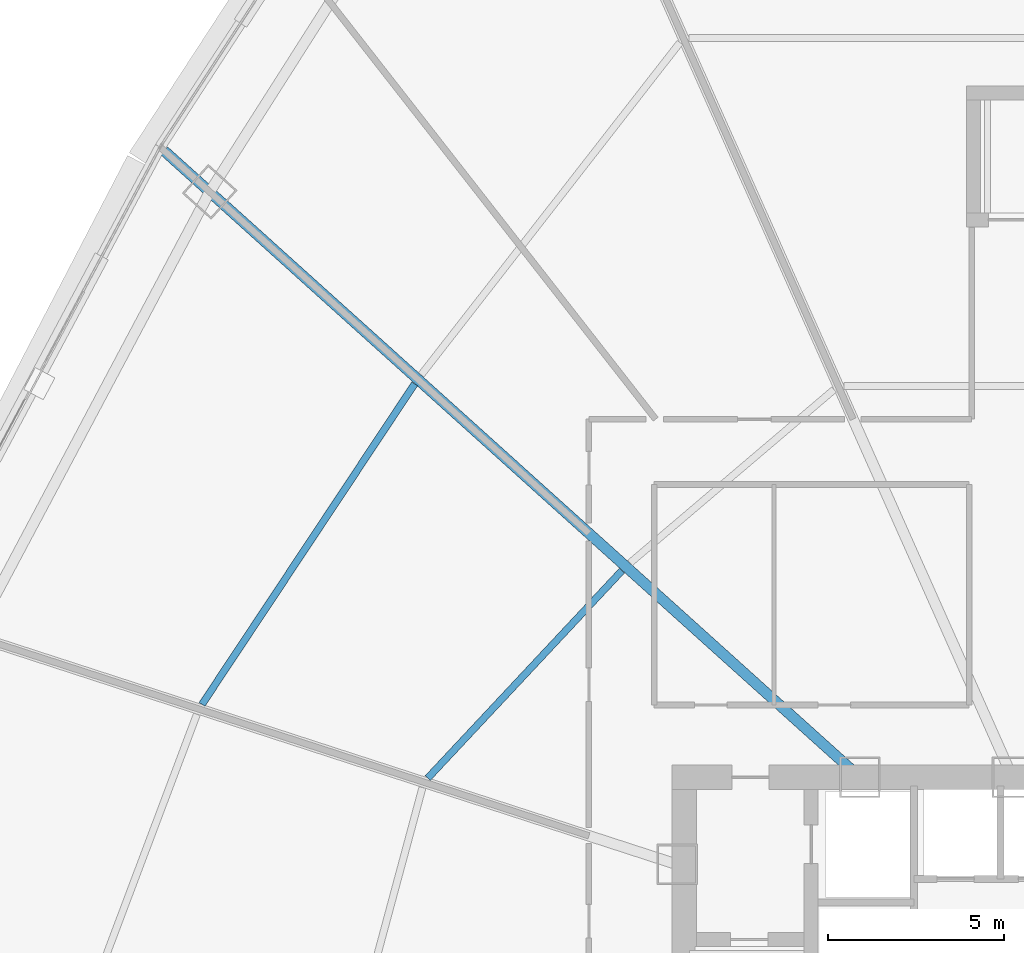
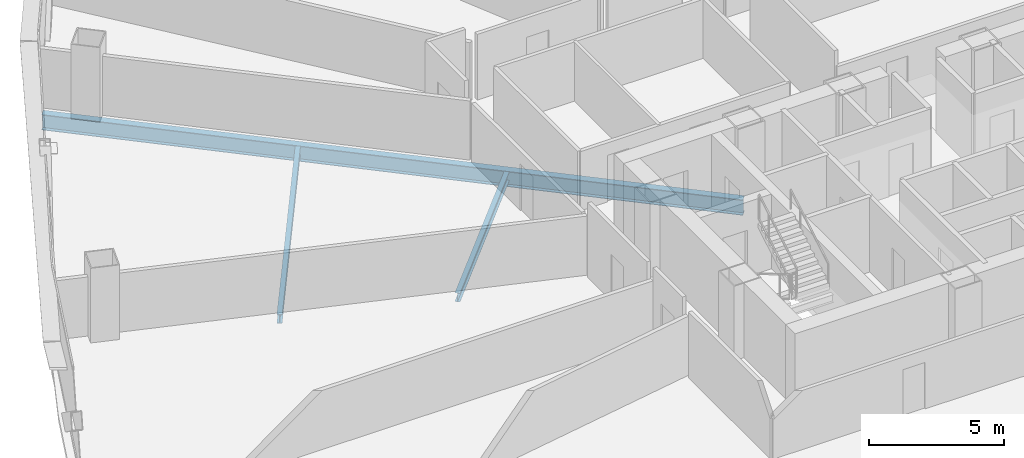
# One storey, part 14 of 38: 3 beams.
"""IFC4 building model written with IfcOpenShell, lengths in metres."""

from ifc_helpers import new_model, si_unit, direction, frame, origin, origin_2d, place, context, subcontext, project, spatial, i_section, extrude, source, transform, mapped, material, material_profile, profile_set, type_object, element, save


model = new_model("IFC4")

# Units and contexts
model_context = context("Model", 3, precision=1e-05, world=origin(), true_north=direction((0.0, 1.0)))
body_context = subcontext(model_context, "Body", "Model", "MODEL_VIEW")
ifc_project = project(units=[si_unit("LENGTHUNIT", "METRE"), si_unit("AREAUNIT", "SQUARE_METRE"), si_unit("VOLUMEUNIT", "CUBIC_METRE"), si_unit("PLANEANGLEUNIT", "RADIAN"), si_unit("MASSUNIT", "GRAM", prefix="KILO"), si_unit("THERMODYNAMICTEMPERATUREUNIT", "KELVIN"), si_unit("POWERUNIT", "WATT")], contexts=[model_context])

# Site, building, storey
site_placement = place(None, origin())
site = spatial("IfcSite", under=ifc_project, at=site_placement, CompositionType="ELEMENT")
building_placement = place(site_placement, origin())
building = spatial("IfcBuilding", under=site, at=building_placement, Name="Yunzhuo Pagoda Commons", CompositionType="ELEMENT")
storey_placement = place(building_placement, frame((0.0, 0.0, 37.659912109375)))
storey = spatial("IfcBuildingStorey", under=building, at=storey_placement, Name="L09", CompositionType="ELEMENT", Elevation=37.659912109375)

# Beams
ifc_material = material(Name="Structural steel Q355B", Category="steel")
ifc_material_profile_1 = material_profile(ifc_material, i_section(OverallWidth=0.300048828125, OverallDepth=0.699951171875, WebThickness=0.012939453125, FlangeThickness=0.02392578125, at=origin_2d()), Name="Structural steel Q355B")
ifc_profile_set_1 = profile_set([ifc_material_profile_1], Name="Structural steel Q355B")
beam_type_1 = type_object("IfcBeamType", Name="B-RG1 Beam HN 700x300x13x24", PredefinedType="BEAM", material=ifc_profile_set_1)
shared_shape_1 = source(origin(), body_context, "Body", "SweptSolid", [
    extrude(i_section(OverallWidth=0.300048828125, OverallDepth=0.699951171875, WebThickness=0.012939453125, FlangeThickness=0.02392578125, at=origin_2d()), origin(), (0.0, 0.0, 1.0), 26.538818359375),
])
beam_1_placement = place(storey_placement, frame((21.058837890625, 57.9580078125, -0.60986328125), z_axis=(0.743142261506, -0.669133453927, 0.0), x_axis=(0.669133453927, 0.743142261506, 0.0)))
element("IfcBeam", 1, at=beam_1_placement, inside=storey, type_object=beam_type_1, Name="L09 radial floor girder F3C2", PredefinedType="BEAM", context=body_context, shape_type="MappedRepresentation", body=[
    mapped(shared_shape_1, transform((0.0, 0.0, 0.0), scale=1.0)),
])
ifc_material_profile_2 = material_profile(ifc_material, i_section(OverallWidth=0.199951171875, OverallDepth=0.39990234375, WebThickness=0.008056640625, FlangeThickness=0.012939453125, at=origin_2d()), Name="Structural steel Q355B")
ifc_profile_set_2 = profile_set([ifc_material_profile_2], Name="Structural steel Q355B")
beam_type_2 = type_object("IfcBeamType", Name="B-JS1 Joist HN 400x200x8x13", PredefinedType="JOIST", material=ifc_profile_set_2)
shared_shape_2 = source(origin(), body_context, "Body", "SweptSolid", [
    extrude(i_section(OverallWidth=0.199951171875, OverallDepth=0.39990234375, WebThickness=0.008056640625, FlangeThickness=0.012939453125, at=origin_2d()), origin(), (0.0, 0.0, 1.0), 8.055908203125),
])
beam_2_placement = place(storey_placement, frame((34.03759765625, 46.057861328125, -0.4599609375), z_axis=(-0.683432879027, -0.730013355949, 0.0), x_axis=(0.730013355949, -0.683432879027, 0.0)))
element("IfcBeam", 2, at=beam_2_placement, inside=storey, type_object=beam_type_2, Name="L09 composite ring joist 1.10", PredefinedType="JOIST", context=body_context, shape_type="MappedRepresentation", body=[
    mapped(shared_shape_2, transform((0.0, 0.0, 0.0), scale=1.0)),
])
shared_shape_3 = source(origin(), body_context, "Body", "SweptSolid", [
    extrude(i_section(OverallWidth=0.199951171875, OverallDepth=0.39990234375, WebThickness=0.008056640625, FlangeThickness=0.012939453125, at=origin_2d()), origin(), (0.0, 0.0, 1.0), 10.904052734375),
])
beam_3_placement = place(storey_placement, frame((28.160888671875, 51.351806640625, -0.4599609375), z_axis=(-0.552916349928, -0.833236767061, 0.0), x_axis=(0.833236767061, -0.552916349928, 0.0)))
element("IfcBeam", 3, at=beam_3_placement, inside=storey, type_object=beam_type_2, Name="L09 composite ring joist 2.10", PredefinedType="JOIST", context=body_context, shape_type="MappedRepresentation", body=[
    mapped(shared_shape_3, transform((0.0, 0.0, 0.0), scale=1.0)),
])

save(model, "model.ifc")
